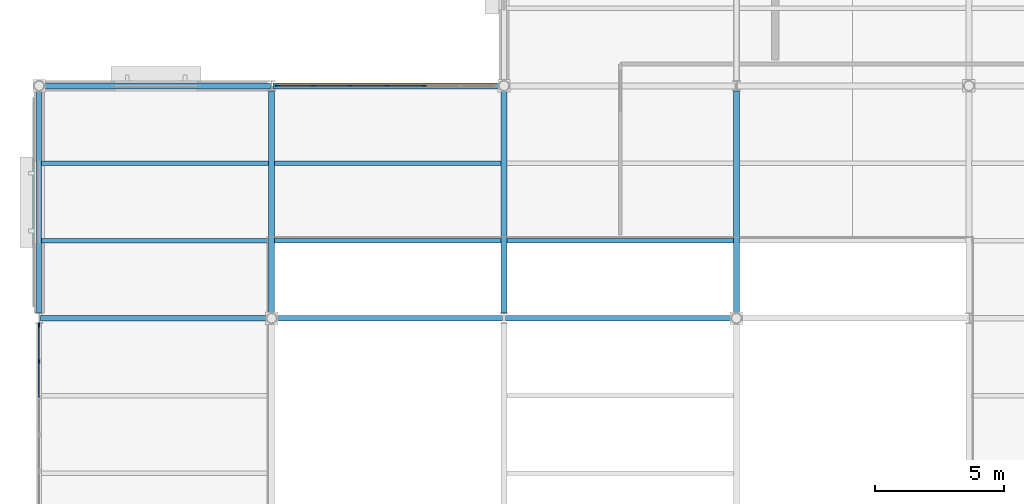
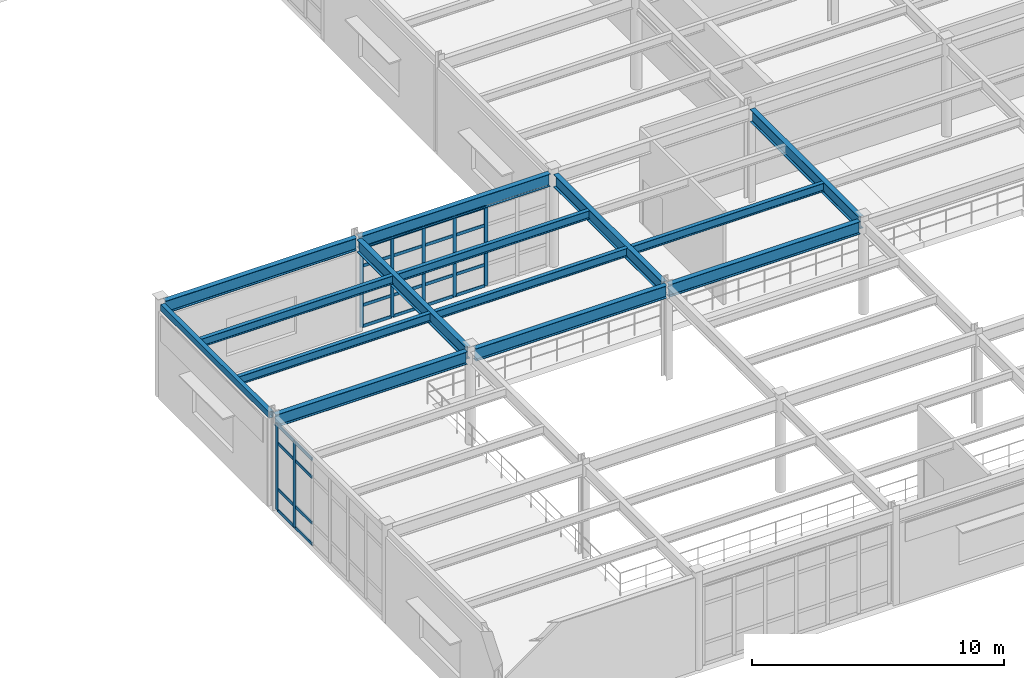
# One storey, part 25 of 86: 31 members, 14 beams, 2 elements without a shape of their own.
"""IFC4 building model written with IfcOpenShell, lengths in metres."""

from ifc_helpers import new_model, si_unit, direction, frame, origin, origin_2d, place, context, subcontext, project, spatial, rectangle, hollow_rectangle, i_section, extrude, material, material_profile, profile_set, type_object, element, aggregate, save


model = new_model("IFC4")

# Units and contexts
model_context = context("Model", 3, precision=1e-05, world=origin(), true_north=direction((0.0, 1.0)))
body_context = subcontext(model_context, "Body", "Model", "MODEL_VIEW")
ifc_project = project(units=[si_unit("LENGTHUNIT", "METRE"), si_unit("AREAUNIT", "SQUARE_METRE"), si_unit("VOLUMEUNIT", "CUBIC_METRE"), si_unit("PLANEANGLEUNIT", "RADIAN"), si_unit("MASSUNIT", "GRAM", prefix="KILO")], contexts=[model_context])

# Site, building, storey
site_placement = place(None, origin())
site = spatial("IfcSite", under=ifc_project, at=site_placement, CompositionType="ELEMENT")
building_placement = place(site_placement, origin())
building = spatial("IfcBuilding", under=site, at=building_placement, Name="Glasvene Arena", CompositionType="ELEMENT")
storey_placement = place(building_placement, frame((0.0, 0.0, 5.39990234375)))
storey = spatial("IfcBuildingStorey", under=building, at=storey_placement, Name="L01", CompositionType="ELEMENT", Elevation=5.39990234375)

# Beams
ifc_material_1 = material(Name="Steel S355J2", Category="steel")
ifc_material_profile_1 = material_profile(ifc_material_1, i_section(OverallWidth=0.228271484375, OverallDepth=0.607666015625, WebThickness=0.010986328125, FlangeThickness=0.017333984375, FilletRadius=0.0126953125, at=origin_2d()), Name="UKB 610x229x113")
ifc_profile_set_1 = profile_set([ifc_material_profile_1], Name="Steel S355J2")
beam_type_1 = type_object("IfcBeamType", Name="BM-GIRD-610", PredefinedType="BEAM", material=ifc_profile_set_1)
for number, where, z_axis, x_axis, name in (
    (1, (0.050048828125, 18.0, 4.21630859375), (1.0, 0.0, 0.0), (0.0, 1.0, 0.0), "Primary X girder L01-0534"),
    (2, (9.1982421875, 18.0, 4.21630859375), (1.0, 0.0, 0.0), (0.0, 1.0, 0.0), "Primary X girder L01-0535"),
    (3, (18.050048828125, 18.0, 4.21630859375), (1.0, 0.0, 0.0), (0.0, 1.0, 0.0), "Primary X girder L01-0536"),
    (4, (0.1982421875, 27.0, 4.21630859375), (1.0, 0.0, 0.0), (0.0, 1.0, 0.0), "Primary X girder L01-0540"),
    (5, (9.050048828125, 27.0, 4.21630859375), (1.0, 0.0, 0.0), (0.0, 1.0, 0.0), "Primary X girder L01-0541"),
):
    element("IfcBeam", number, at=place(storey_placement, frame(where, z_axis=z_axis, x_axis=x_axis)), inside=storey, type_object=beam_type_1, Name=name, PredefinedType="BEAM", context=body_context, shape_type="SweptSolid", body=[
        extrude(i_section(OverallWidth=0.228271484375, OverallDepth=0.607666015625, WebThickness=0.010986328125, FlangeThickness=0.017333984375, FilletRadius=0.0126953125, at=origin_2d()), origin(), (0.0, 0.0, 1.0), 8.751708984375),
    ])
for number, where, z_axis, x_axis, name in (
    (6, (9.0, 18.1982421875, 4.21630859375), (0.0, 1.0, 0.0), (-1.0, 0.0, 0.0), "Primary Y girder L01-0611"),
    (7, (18.0, 18.195068359375, 4.21630859375), (0.0, 1.0, 0.0), (-1.0, 0.0, 0.0), "Primary Y girder L01-0618"),
    (8, (27.0, 18.1982421875, 4.21630859375), (0.0, 1.0, 0.0), (-1.0, 0.0, 0.0), "Primary Y girder L01-0628"),
):
    element("IfcBeam", number, at=place(storey_placement, frame(where, z_axis=z_axis, x_axis=x_axis)), inside=storey, type_object=beam_type_1, Name=name, PredefinedType="BEAM", context=body_context, shape_type="SweptSolid", body=[
        extrude(i_section(OverallWidth=0.228271484375, OverallDepth=0.607666015625, WebThickness=0.010986328125, FlangeThickness=0.017333984375, FilletRadius=0.0126953125, at=origin_2d()), origin(), (0.0, 0.0, 1.0), 8.606689453125),
    ])
ifc_material_profile_2 = material_profile(ifc_material_1, i_section(OverallWidth=0.177978515625, OverallDepth=0.406494140625, WebThickness=0.0078125, FlangeThickness=0.0126953125, FilletRadius=0.01025390625, at=origin_2d()), Name="UKB 406x178x60")
ifc_profile_set_2 = profile_set([ifc_material_profile_2], Name="Steel S355J2")
beam_type_2 = type_object("IfcBeamType", Name="BM-JOIST-406", PredefinedType="JOIST", material=ifc_profile_set_2)
for number, where, z_axis, x_axis, name in (
    (9, (0.095947265625, 21.0, 4.31689453125), (1.0, 0.0, 0.0), (0.0, 1.0, 0.0), "Composite floor joist L01-0681"),
    (10, (0.095947265625, 24.0, 4.31689453125), (1.0, 0.0, 0.0), (0.0, 1.0, 0.0), "Composite floor joist L01-0682"),
):
    element("IfcBeam", number, at=place(storey_placement, frame(where, z_axis=z_axis, x_axis=x_axis)), inside=storey, type_object=beam_type_2, Name=name, PredefinedType="JOIST", context=body_context, shape_type="SweptSolid", body=[
        extrude(i_section(OverallWidth=0.177978515625, OverallDepth=0.406494140625, WebThickness=0.0078125, FlangeThickness=0.0126953125, FilletRadius=0.01025390625, at=origin_2d()), origin(), (0.0, 0.0, 1.0), 8.7939453125),
    ])
for number, where, z_axis, x_axis, name in (
    (11, (9.110107421875, 21.0, 4.31689453125), (1.0, 0.0, 0.0), (0.0, 1.0, 0.0), "Composite floor joist L01-0691"),
    (12, (9.110107421875, 24.0, 4.31689453125), (1.0, 0.0, 0.0), (0.0, 1.0, 0.0), "Composite floor joist L01-0692"),
    (13, (18.110107421875, 21.0, 4.31689453125), (1.0, 0.0, 0.0), (0.0, 1.0, 0.0), "Composite floor joist L01-0701"),
):
    element("IfcBeam", number, at=place(storey_placement, frame(where, z_axis=z_axis, x_axis=x_axis)), inside=storey, type_object=beam_type_2, Name=name, PredefinedType="JOIST", context=body_context, shape_type="SweptSolid", body=[
        extrude(i_section(OverallWidth=0.177978515625, OverallDepth=0.406494140625, WebThickness=0.0078125, FlangeThickness=0.0126953125, FilletRadius=0.01025390625, at=origin_2d()), origin(), (0.0, 0.0, 1.0), 8.77978515625),
    ])
ifc_material_profile_3 = material_profile(ifc_material_1, hollow_rectangle(XDim=0.199951171875, YDim=0.300048828125, WallThickness=0.012451171875, at=origin_2d()), Name="RHS 300x200x12.5")
ifc_profile_set_3 = profile_set([ifc_material_profile_3], Name="Steel S355J2")
beam_type_3 = type_object("IfcBeamType", Name="BM-SPAND-300", PredefinedType="SPANDREL", material=ifc_profile_set_3)
beam_placement = place(storey_placement, frame((0.0, 18.195068359375, 4.3701171875), z_axis=(0.0, 1.0, 0.0), x_axis=(-1.0, 0.0, 0.0)))
element("IfcBeam", 14, at=beam_placement, inside=storey, type_object=beam_type_3, Name="Primary Y girder L01-0601", PredefinedType="SPANDREL", context=body_context, shape_type="SweptSolid", body=[
    extrude(hollow_rectangle(XDim=0.199951171875, YDim=0.300048828125, WallThickness=0.012451171875, at=origin_2d()), origin(), (0.0, 0.0, 1.0), 8.606689453125),
])

# Curtain wall, members
ifc_material_2 = material(Name="Low-emissivity laminated double glazing", Category="glass")
curtain_wall_type_1 = type_object("IfcCurtainWallType", Name="CW-FAC-L01-856x385", PredefinedType="USERDEFINED", material=ifc_material_2)
curtain_wall_1_placement = place(storey_placement, frame((9.19189453125, 27.0, 0.0)))
curtain_wall_1 = element("IfcCurtainWall", 15, at=curtain_wall_1_placement, inside=storey, type_object=curtain_wall_type_1, Name="Unitised curtain wall CW-F-L01-150-135-270-67", ObjectType="CURTAIN WALL", PredefinedType="USERDEFINED")
ifc_material_3 = material(Name="Anodised architectural aluminium", Category="aluminium")
ifc_material_profile_4 = material_profile(ifc_material_3, rectangle(XDim=0.050048828125, YDim=0.159912109375, at=origin_2d()), Name="ALU MULLION 50x160")
ifc_profile_set_4 = profile_set([ifc_material_profile_4], Name="Anodised architectural aluminium")
member_type_1 = type_object("IfcMemberType", Name="CW-MUL-150", PredefinedType="MULLION", material=ifc_profile_set_4)
member_1_placement = place(storey_placement, frame((9.217041015625, 27.0, 0.06005859375), z_axis=(0.0, 0.0, 1.0), x_axis=(0.0, 1.0, 0.0)))
member_1 = element("IfcMember", 16, at=member_1_placement, type_object=member_type_1, Name="CW-017 mullion 1", PredefinedType="MULLION", context=body_context, shape_type="SweptSolid", body=[
    extrude(rectangle(XDim=0.050048828125, YDim=0.159912109375, at=origin_2d()), origin(), (0.0, 0.0, 1.0), 3.846923828125),
])
member_2_placement = place(storey_placement, frame((10.619140625, 27.0, 0.06005859375), z_axis=(0.0, 0.0, 1.0), x_axis=(0.0, 1.0, 0.0)))
member_2 = element("IfcMember", 17, at=member_2_placement, type_object=member_type_1, Name="CW-017 mullion 2", PredefinedType="MULLION", context=body_context, shape_type="SweptSolid", body=[
    extrude(rectangle(XDim=0.050048828125, YDim=0.159912109375, at=origin_2d()), origin(), (0.0, 0.0, 1.0), 3.846923828125),
])
member_3_placement = place(storey_placement, frame((12.04638671875, 27.0, 0.06005859375), z_axis=(0.0, 0.0, 1.0), x_axis=(0.0, 1.0, 0.0)))
member_3 = element("IfcMember", 18, at=member_3_placement, type_object=member_type_1, Name="CW-017 mullion 3", PredefinedType="MULLION", context=body_context, shape_type="SweptSolid", body=[
    extrude(rectangle(XDim=0.050048828125, YDim=0.159912109375, at=origin_2d()), origin(), (0.0, 0.0, 1.0), 3.846923828125),
])
member_4_placement = place(storey_placement, frame((13.473388671875, 27.0, 0.06005859375), z_axis=(0.0, 0.0, 1.0), x_axis=(0.0, 1.0, 0.0)))
member_4 = element("IfcMember", 19, at=member_4_placement, type_object=member_type_1, Name="CW-017 mullion 4", PredefinedType="MULLION", context=body_context, shape_type="SweptSolid", body=[
    extrude(rectangle(XDim=0.050048828125, YDim=0.159912109375, at=origin_2d()), origin(), (0.0, 0.0, 1.0), 3.846923828125),
])
member_5_placement = place(storey_placement, frame((14.900634765625, 27.0, 0.06005859375), z_axis=(0.0, 0.0, 1.0), x_axis=(0.0, 1.0, 0.0)))
member_5 = element("IfcMember", 20, at=member_5_placement, type_object=member_type_1, Name="CW-017 mullion 5", PredefinedType="MULLION", context=body_context, shape_type="SweptSolid", body=[
    extrude(rectangle(XDim=0.050048828125, YDim=0.159912109375, at=origin_2d()), origin(), (0.0, 0.0, 1.0), 3.846923828125),
])

curtain_wall_type_2 = type_object("IfcCurtainWallType", Name="CW-FAC-L01-851x416", PredefinedType="USERDEFINED", material=ifc_material_2)
curtain_wall_2_placement = place(storey_placement, frame((0.0, 9.2451171875, 0.0)))
curtain_wall_2 = element("IfcCurtainWall", 21, at=curtain_wall_2_placement, inside=storey, type_object=curtain_wall_type_2, Name="Unitised curtain wall CW-F-L01-180-0-135-64", ObjectType="CURTAIN WALL", PredefinedType="USERDEFINED")
ifc_material_profile_5 = material_profile(ifc_material_3, rectangle(XDim=0.050048828125, YDim=0.199951171875, at=origin_2d()), Name="ALU MULLION 50x200")
ifc_profile_set_5 = profile_set([ifc_material_profile_5], Name="Anodised architectural aluminium")
member_type_2 = type_object("IfcMemberType", Name="CW-MUL-180", PredefinedType="MULLION", material=ifc_profile_set_5)
member_6_placement = place(storey_placement, frame((0.0, 16.339111328125, 0.06005859375), z_axis=(0.0, 0.0, 1.0), x_axis=(-1.0, 0.0, 0.0)))
member_6 = element("IfcMember", 22, at=member_6_placement, type_object=member_type_2, Name="CW-016 mullion 6", PredefinedType="MULLION", context=body_context, shape_type="SweptSolid", body=[
    extrude(rectangle(XDim=0.050048828125, YDim=0.199951171875, at=origin_2d()), origin(), (0.0, 0.0, 1.0), 4.155029296875),
])
member_7_placement = place(storey_placement, frame((0.0, 17.73291015625, 0.06005859375), z_axis=(0.0, 0.0, 1.0), x_axis=(-1.0, 0.0, 0.0)))
member_7 = element("IfcMember", 23, at=member_7_placement, type_object=member_type_2, Name="CW-016 mullion 7", PredefinedType="MULLION", context=body_context, shape_type="SweptSolid", body=[
    extrude(rectangle(XDim=0.050048828125, YDim=0.199951171875, at=origin_2d()), origin(), (0.0, 0.0, 1.0), 4.155029296875),
])
ifc_material_profile_6 = material_profile(ifc_material_3, rectangle(XDim=0.050048828125, YDim=0.14990234375, at=origin_2d()), Name="ALU TRANSOM 50x150")
ifc_profile_set_6 = profile_set([ifc_material_profile_6], Name="Anodised architectural aluminium")
member_type_3 = type_object("IfcMemberType", Name="CW-TRN-150", PredefinedType="USERDEFINED", material=ifc_profile_set_6)
member_8_placement = place(storey_placement, frame((0.0, 14.9453125, 0.085205078125), z_axis=(0.0, 1.0, 0.0), x_axis=(-1.0, 0.0, 0.0)))
member_8 = element("IfcMember", 24, at=member_8_placement, type_object=member_type_3, Name="CW-016 transom 5.1", ObjectType="TRANSOM", PredefinedType="USERDEFINED", context=body_context, shape_type="SweptSolid", body=[
    extrude(rectangle(XDim=0.050048828125, YDim=0.14990234375, at=origin_2d()), origin(), (0.0, 0.0, 1.0), 1.368896484375),
])
member_9_placement = place(storey_placement, frame((0.0, 14.9453125, 1.10009765625), z_axis=(0.0, 1.0, 0.0), x_axis=(-1.0, 0.0, 0.0)))
member_9 = element("IfcMember", 25, at=member_9_placement, type_object=member_type_3, Name="CW-016 transom 5.2", ObjectType="TRANSOM", PredefinedType="USERDEFINED", context=body_context, shape_type="SweptSolid", body=[
    extrude(rectangle(XDim=0.050048828125, YDim=0.14990234375, at=origin_2d()), origin(), (0.0, 0.0, 1.0), 1.368896484375),
])
member_10_placement = place(storey_placement, frame((0.0, 14.9453125, 3.315185546875), z_axis=(0.0, 1.0, 0.0), x_axis=(-1.0, 0.0, 0.0)))
member_10 = element("IfcMember", 26, at=member_10_placement, type_object=member_type_3, Name="CW-016 transom 5.3", ObjectType="TRANSOM", PredefinedType="USERDEFINED", context=body_context, shape_type="SweptSolid", body=[
    extrude(rectangle(XDim=0.050048828125, YDim=0.14990234375, at=origin_2d()), origin(), (0.0, 0.0, 1.0), 1.368896484375),
])
member_11_placement = place(storey_placement, frame((0.0, 14.9453125, 4.190185546875), z_axis=(0.0, 1.0, 0.0), x_axis=(-1.0, 0.0, 0.0)))
member_11 = element("IfcMember", 27, at=member_11_placement, type_object=member_type_3, Name="CW-016 transom 5.4", ObjectType="TRANSOM", PredefinedType="USERDEFINED", context=body_context, shape_type="SweptSolid", body=[
    extrude(rectangle(XDim=0.050048828125, YDim=0.14990234375, at=origin_2d()), origin(), (0.0, 0.0, 1.0), 1.368896484375),
])
member_12_placement = place(storey_placement, frame((0.0, 16.3642578125, 0.085205078125), z_axis=(0.0, 1.0, 0.0), x_axis=(-1.0, 0.0, 0.0)))
member_12 = element("IfcMember", 28, at=member_12_placement, type_object=member_type_3, Name="CW-016 transom 6.1", ObjectType="TRANSOM", PredefinedType="USERDEFINED", context=body_context, shape_type="SweptSolid", body=[
    extrude(rectangle(XDim=0.050048828125, YDim=0.14990234375, at=origin_2d()), origin(), (0.0, 0.0, 1.0), 1.34375),
])
member_13_placement = place(storey_placement, frame((0.0, 16.3642578125, 1.10009765625), z_axis=(0.0, 1.0, 0.0), x_axis=(-1.0, 0.0, 0.0)))
member_13 = element("IfcMember", 29, at=member_13_placement, type_object=member_type_3, Name="CW-016 transom 6.2", ObjectType="TRANSOM", PredefinedType="USERDEFINED", context=body_context, shape_type="SweptSolid", body=[
    extrude(rectangle(XDim=0.050048828125, YDim=0.14990234375, at=origin_2d()), origin(), (0.0, 0.0, 1.0), 1.34375),
])
member_14_placement = place(storey_placement, frame((0.0, 16.3642578125, 3.315185546875), z_axis=(0.0, 1.0, 0.0), x_axis=(-1.0, 0.0, 0.0)))
member_14 = element("IfcMember", 30, at=member_14_placement, type_object=member_type_3, Name="CW-016 transom 6.3", ObjectType="TRANSOM", PredefinedType="USERDEFINED", context=body_context, shape_type="SweptSolid", body=[
    extrude(rectangle(XDim=0.050048828125, YDim=0.14990234375, at=origin_2d()), origin(), (0.0, 0.0, 1.0), 1.34375),
])
member_15_placement = place(storey_placement, frame((0.0, 16.3642578125, 4.190185546875), z_axis=(0.0, 1.0, 0.0), x_axis=(-1.0, 0.0, 0.0)))
member_15 = element("IfcMember", 31, at=member_15_placement, type_object=member_type_3, Name="CW-016 transom 6.4", ObjectType="TRANSOM", PredefinedType="USERDEFINED", context=body_context, shape_type="SweptSolid", body=[
    extrude(rectangle(XDim=0.050048828125, YDim=0.14990234375, at=origin_2d()), origin(), (0.0, 0.0, 1.0), 1.34375),
])
aggregate(curtain_wall_2, [member_6, member_7, member_8, member_9, member_10, member_11, member_12, member_13, member_14, member_15])

# Member
member_16_placement = place(storey_placement, frame((9.241943359375, 27.0, 0.085205078125), z_axis=(1.0, 0.0, 0.0), x_axis=(0.0, 1.0, 0.0)))
member_16 = element("IfcMember", 32, at=member_16_placement, type_object=member_type_3, Name="CW-017 transom 1.1", ObjectType="TRANSOM", PredefinedType="USERDEFINED", context=body_context, shape_type="SweptSolid", body=[
    extrude(rectangle(XDim=0.050048828125, YDim=0.14990234375, at=origin_2d()), origin(), (0.0, 0.0, 1.0), 1.352294921875),
])

member_17_placement = place(storey_placement, frame((9.241943359375, 27.0, 1.10009765625), z_axis=(1.0, 0.0, 0.0), x_axis=(0.0, 1.0, 0.0)))
member_17 = element("IfcMember", 33, at=member_17_placement, type_object=member_type_3, Name="CW-017 transom 1.2", ObjectType="TRANSOM", PredefinedType="USERDEFINED", context=body_context, shape_type="SweptSolid", body=[
    extrude(rectangle(XDim=0.050048828125, YDim=0.14990234375, at=origin_2d()), origin(), (0.0, 0.0, 1.0), 1.352294921875),
])

member_18_placement = place(storey_placement, frame((9.241943359375, 27.0, 3.007080078125), z_axis=(1.0, 0.0, 0.0), x_axis=(0.0, 1.0, 0.0)))
member_18 = element("IfcMember", 34, at=member_18_placement, type_object=member_type_3, Name="CW-017 transom 1.3", ObjectType="TRANSOM", PredefinedType="USERDEFINED", context=body_context, shape_type="SweptSolid", body=[
    extrude(rectangle(XDim=0.050048828125, YDim=0.14990234375, at=origin_2d()), origin(), (0.0, 0.0, 1.0), 1.352294921875),
])

member_19_placement = place(storey_placement, frame((9.241943359375, 27.0, 3.882080078125), z_axis=(1.0, 0.0, 0.0), x_axis=(0.0, 1.0, 0.0)))
member_19 = element("IfcMember", 35, at=member_19_placement, type_object=member_type_3, Name="CW-017 transom 1.4", ObjectType="TRANSOM", PredefinedType="USERDEFINED", context=body_context, shape_type="SweptSolid", body=[
    extrude(rectangle(XDim=0.050048828125, YDim=0.14990234375, at=origin_2d()), origin(), (0.0, 0.0, 1.0), 1.352294921875),
])

member_20_placement = place(storey_placement, frame((10.64404296875, 27.0, 0.085205078125), z_axis=(1.0, 0.0, 0.0), x_axis=(0.0, 1.0, 0.0)))
member_20 = element("IfcMember", 36, at=member_20_placement, type_object=member_type_3, Name="CW-017 transom 2.1", ObjectType="TRANSOM", PredefinedType="USERDEFINED", context=body_context, shape_type="SweptSolid", body=[
    extrude(rectangle(XDim=0.050048828125, YDim=0.14990234375, at=origin_2d()), origin(), (0.0, 0.0, 1.0), 1.377197265625),
])

member_21_placement = place(storey_placement, frame((10.64404296875, 27.0, 1.10009765625), z_axis=(1.0, 0.0, 0.0), x_axis=(0.0, 1.0, 0.0)))
member_21 = element("IfcMember", 37, at=member_21_placement, type_object=member_type_3, Name="CW-017 transom 2.2", ObjectType="TRANSOM", PredefinedType="USERDEFINED", context=body_context, shape_type="SweptSolid", body=[
    extrude(rectangle(XDim=0.050048828125, YDim=0.14990234375, at=origin_2d()), origin(), (0.0, 0.0, 1.0), 1.377197265625),
])

member_22_placement = place(storey_placement, frame((10.64404296875, 27.0, 3.007080078125), z_axis=(1.0, 0.0, 0.0), x_axis=(0.0, 1.0, 0.0)))
member_22 = element("IfcMember", 38, at=member_22_placement, type_object=member_type_3, Name="CW-017 transom 2.3", ObjectType="TRANSOM", PredefinedType="USERDEFINED", context=body_context, shape_type="SweptSolid", body=[
    extrude(rectangle(XDim=0.050048828125, YDim=0.14990234375, at=origin_2d()), origin(), (0.0, 0.0, 1.0), 1.377197265625),
])

member_23_placement = place(storey_placement, frame((10.64404296875, 27.0, 3.882080078125), z_axis=(1.0, 0.0, 0.0), x_axis=(0.0, 1.0, 0.0)))
member_23 = element("IfcMember", 39, at=member_23_placement, type_object=member_type_3, Name="CW-017 transom 2.4", ObjectType="TRANSOM", PredefinedType="USERDEFINED", context=body_context, shape_type="SweptSolid", body=[
    extrude(rectangle(XDim=0.050048828125, YDim=0.14990234375, at=origin_2d()), origin(), (0.0, 0.0, 1.0), 1.377197265625),
])

member_24_placement = place(storey_placement, frame((12.0712890625, 27.0, 0.085205078125), z_axis=(1.0, 0.0, 0.0), x_axis=(0.0, 1.0, 0.0)))
member_24 = element("IfcMember", 40, at=member_24_placement, type_object=member_type_3, Name="CW-017 transom 3.1", ObjectType="TRANSOM", PredefinedType="USERDEFINED", context=body_context, shape_type="SweptSolid", body=[
    extrude(rectangle(XDim=0.050048828125, YDim=0.14990234375, at=origin_2d()), origin(), (0.0, 0.0, 1.0), 1.377197265625),
])

member_25_placement = place(storey_placement, frame((12.0712890625, 27.0, 1.10009765625), z_axis=(1.0, 0.0, 0.0), x_axis=(0.0, 1.0, 0.0)))
member_25 = element("IfcMember", 41, at=member_25_placement, type_object=member_type_3, Name="CW-017 transom 3.2", ObjectType="TRANSOM", PredefinedType="USERDEFINED", context=body_context, shape_type="SweptSolid", body=[
    extrude(rectangle(XDim=0.050048828125, YDim=0.14990234375, at=origin_2d()), origin(), (0.0, 0.0, 1.0), 1.377197265625),
])

member_26_placement = place(storey_placement, frame((12.0712890625, 27.0, 3.007080078125), z_axis=(1.0, 0.0, 0.0), x_axis=(0.0, 1.0, 0.0)))
member_26 = element("IfcMember", 42, at=member_26_placement, type_object=member_type_3, Name="CW-017 transom 3.3", ObjectType="TRANSOM", PredefinedType="USERDEFINED", context=body_context, shape_type="SweptSolid", body=[
    extrude(rectangle(XDim=0.050048828125, YDim=0.14990234375, at=origin_2d()), origin(), (0.0, 0.0, 1.0), 1.377197265625),
])

member_27_placement = place(storey_placement, frame((12.0712890625, 27.0, 3.882080078125), z_axis=(1.0, 0.0, 0.0), x_axis=(0.0, 1.0, 0.0)))
member_27 = element("IfcMember", 43, at=member_27_placement, type_object=member_type_3, Name="CW-017 transom 3.4", ObjectType="TRANSOM", PredefinedType="USERDEFINED", context=body_context, shape_type="SweptSolid", body=[
    extrude(rectangle(XDim=0.050048828125, YDim=0.14990234375, at=origin_2d()), origin(), (0.0, 0.0, 1.0), 1.377197265625),
])

member_28_placement = place(storey_placement, frame((13.498291015625, 27.0, 0.085205078125), z_axis=(1.0, 0.0, 0.0), x_axis=(0.0, 1.0, 0.0)))
member_28 = element("IfcMember", 44, at=member_28_placement, type_object=member_type_3, Name="CW-017 transom 4.1", ObjectType="TRANSOM", PredefinedType="USERDEFINED", context=body_context, shape_type="SweptSolid", body=[
    extrude(rectangle(XDim=0.050048828125, YDim=0.14990234375, at=origin_2d()), origin(), (0.0, 0.0, 1.0), 1.377197265625),
])

member_29_placement = place(storey_placement, frame((13.498291015625, 27.0, 1.10009765625), z_axis=(1.0, 0.0, 0.0), x_axis=(0.0, 1.0, 0.0)))
member_29 = element("IfcMember", 45, at=member_29_placement, type_object=member_type_3, Name="CW-017 transom 4.2", ObjectType="TRANSOM", PredefinedType="USERDEFINED", context=body_context, shape_type="SweptSolid", body=[
    extrude(rectangle(XDim=0.050048828125, YDim=0.14990234375, at=origin_2d()), origin(), (0.0, 0.0, 1.0), 1.377197265625),
])

member_30_placement = place(storey_placement, frame((13.498291015625, 27.0, 3.007080078125), z_axis=(1.0, 0.0, 0.0), x_axis=(0.0, 1.0, 0.0)))
member_30 = element("IfcMember", 46, at=member_30_placement, type_object=member_type_3, Name="CW-017 transom 4.3", ObjectType="TRANSOM", PredefinedType="USERDEFINED", context=body_context, shape_type="SweptSolid", body=[
    extrude(rectangle(XDim=0.050048828125, YDim=0.14990234375, at=origin_2d()), origin(), (0.0, 0.0, 1.0), 1.377197265625),
])

member_31_placement = place(storey_placement, frame((13.498291015625, 27.0, 3.882080078125), z_axis=(1.0, 0.0, 0.0), x_axis=(0.0, 1.0, 0.0)))
member_31 = element("IfcMember", 47, at=member_31_placement, type_object=member_type_3, Name="CW-017 transom 4.4", ObjectType="TRANSOM", PredefinedType="USERDEFINED", context=body_context, shape_type="SweptSolid", body=[
    extrude(rectangle(XDim=0.050048828125, YDim=0.14990234375, at=origin_2d()), origin(), (0.0, 0.0, 1.0), 1.377197265625),
])

aggregate(curtain_wall_1, [member_1, member_2, member_3, member_4, member_5, member_16, member_17, member_18, member_19, member_20, member_21, member_22, member_23, member_24, member_25, member_26, member_27, member_28, member_29, member_30, member_31])

save(model, "model.ifc")
